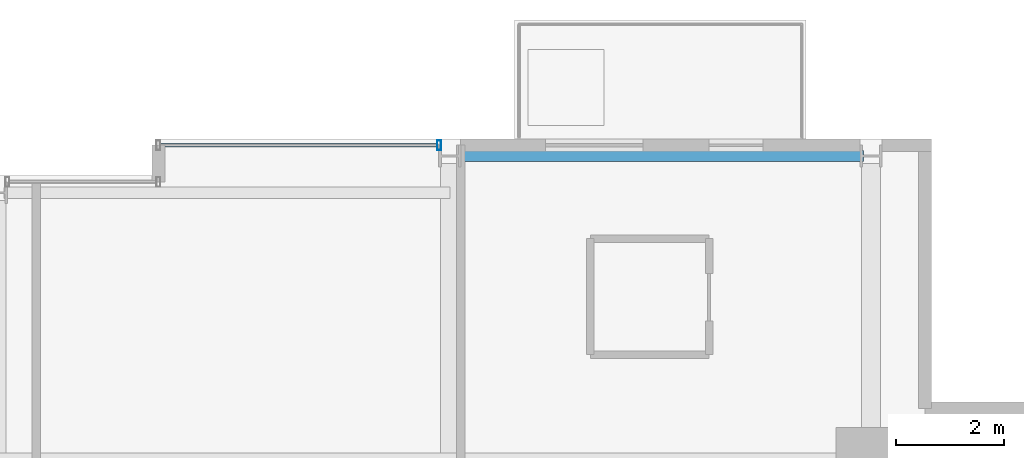
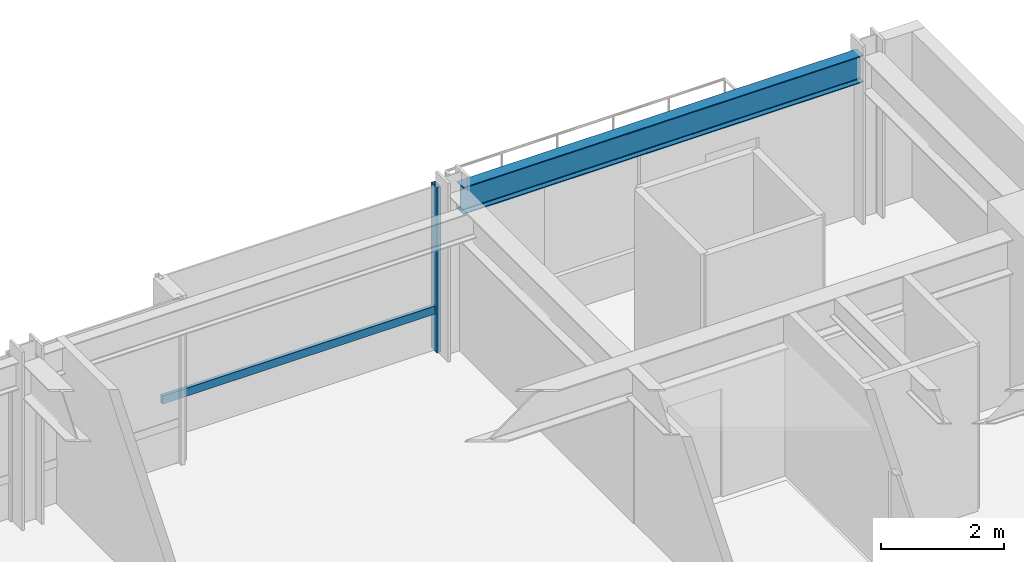
# One storey, part 25 of 33: 2 members, 1 beam, 1 element without a shape of its own.
"""IFC4 building model written with IfcOpenShell, lengths in metres."""

import ifcopenshell
import ifcopenshell.guid

model = None  # the IFC model being written
_history = None  # IfcOwnerHistory: only IFC2X3 demands one
_inside = {}  # id of a spatial element -> (the spatial element, [elements in it])
_under = {}  # id of a project, library or spatial element -> (it, [spatial elements below it])
_declared = {}  # id of a project -> (the project, [libraries it declares])
_typed = {}  # id of a type object -> (the type object, [elements of that type])
_made_of = {}  # id of a material, layer set ... -> (it, [elements and type objects made of it])


def new_model(schema):
    """Start an empty IFC model of exactly this schema.

    Asked for "IFC4X3", IfcOpenShell would pick the latest addendum, in which some entities
    have other attributes; the version numbers below select the first issue.
    IFC2X3 requires an IfcOwnerHistory on every rooted entity: one is made here for all.
    """
    global model, _history
    if schema == "IFC4X3":
        model = ifcopenshell.file(schema_version=(4, 3, 0, 0))
    else:
        model = ifcopenshell.file(schema=schema)
    _inside.clear()
    _under.clear()
    _declared.clear()
    _typed.clear()
    _made_of.clear()
    _history = None
    if model.schema == "IFC2X3":
        org = make("IfcOrganization", Name="unknown")
        user = make(
            "IfcPersonAndOrganization",
            ThePerson=make("IfcPerson", FamilyName="unknown"),
            TheOrganization=org,
        )
        app = make(
            "IfcApplication",
            ApplicationDeveloper=org,
            Version="unknown",
            ApplicationFullName="unknown",
            ApplicationIdentifier="unknown",
        )
        _history = make(
            "IfcOwnerHistory",
            OwningUser=user,
            OwningApplication=app,
            ChangeAction="ADDED",
            CreationDate=0,
        )
    return model


def make(cls, **values):
    """One entity of the class cls with the attributes given. An attribute that is None is left unset."""
    return model.create_entity(
        cls, **{name: value for name, value in values.items() if value is not None}
    )


def rooted(cls, **values):
    """An entity with a GlobalId (a new one), such as an element, a storey or a relation."""
    return make(cls, GlobalId=ifcopenshell.guid.new(), OwnerHistory=_history, **values)


def si_unit(unit_type, name, prefix=None):
    """IfcSIUnit, for example si_unit("LENGTHUNIT", "METRE", prefix="MILLI")."""
    return make("IfcSIUnit", UnitType=unit_type, Prefix=prefix, Name=name)


def assignment(units):
    """IfcUnitAssignment: the units of a project."""
    return None if units is None else make("IfcUnitAssignment", Units=units)


def point(xyz):
    """IfcCartesianPoint."""
    return None if xyz is None else make("IfcCartesianPoint", Coordinates=xyz)


def direction(xyz):
    """IfcDirection."""
    return None if xyz is None else make("IfcDirection", DirectionRatios=xyz)


def frame(location, z_axis=None, x_axis=None):
    """IfcAxis2Placement3D, a coordinate frame: its origin and axes. An axis left out is left unset."""
    return make(
        "IfcAxis2Placement3D",
        Location=point(location),
        Axis=direction(z_axis),
        RefDirection=direction(x_axis),
    )


def frame_2d(location, x_axis=None):
    """IfcAxis2Placement2D, a coordinate frame in the plane: its origin and x axis."""
    return make(
        "IfcAxis2Placement2D", Location=point(location), RefDirection=direction(x_axis)
    )


def origin():
    """The frame at (0, 0, 0) with its axes left unset."""
    return frame((0.0, 0.0, 0.0))


def origin_2d():
    """The frame at (0, 0) in the plane with its x axis left unset."""
    return frame_2d((0.0, 0.0))


def place(relative_to, where):
    """IfcLocalPlacement: puts the frame where relative to a parent placement (None: the world)."""
    return make(
        "IfcLocalPlacement", PlacementRelTo=relative_to, RelativePlacement=where
    )


def context(
    kind, dimensions, precision=None, world=None, true_north=None, identifier=None
):
    """IfcGeometricRepresentationContext, for example the 3D "Model" context."""
    return make(
        "IfcGeometricRepresentationContext",
        ContextIdentifier=identifier,
        ContextType=kind,
        CoordinateSpaceDimension=dimensions,
        Precision=precision,
        WorldCoordinateSystem=world,
        TrueNorth=true_north,
    )


def subcontext(parent, identifier, kind, view, scale=None):
    """IfcGeometricRepresentationSubContext, for example "Body" below "Model"."""
    return make(
        "IfcGeometricRepresentationSubContext",
        ContextIdentifier=identifier,
        ContextType=kind,
        ParentContext=parent,
        TargetScale=scale,
        TargetView=view,
    )


def project(units=None, contexts=None):
    """IfcProject with its units and contexts."""
    return rooted(
        "IfcProject",
        Name="project",
        RepresentationContexts=contexts,
        UnitsInContext=assignment(units),
    )


def spatial(cls, under=None, at=None, **own):
    """A site, building, storey or space (cls), placed at a placement, below another one or the project."""
    s = rooted(cls, ObjectPlacement=at, **own)
    if under is not None:
        _under.setdefault(under.id(), (under, []))[1].append(s)
    return s


def profile(cls, at=None, kind="AREA", **sizes):
    """A parametric profile (cls). Its sizes go by their IFC names, for example OverallWidth=200.0."""
    return make(cls, ProfileType=kind, Position=at, **sizes)


def hollow_rectangle(**sizes):
    """IfcRectangleHollowProfileDef."""
    return profile("IfcRectangleHollowProfileDef", **sizes)


def i_section(**sizes):
    """IfcIShapeProfileDef."""
    return profile("IfcIShapeProfileDef", **sizes)


def extrude(swept, where, along, depth):
    """IfcExtrudedAreaSolid: the profile swept, set in the frame where, extruded along a direction by depth."""
    return make(
        "IfcExtrudedAreaSolid",
        SweptArea=swept,
        Position=where,
        ExtrudedDirection=direction(along),
        Depth=depth,
    )


def shape(context_of_items, identifier, shape_type, items):
    """IfcShapeRepresentation: the items that make up one representation, for example the "Body"."""
    return make(
        "IfcShapeRepresentation",
        ContextOfItems=context_of_items,
        RepresentationIdentifier=identifier,
        RepresentationType=shape_type,
        Items=items,
    )


def material(Name=None, Category=None):
    """IfcMaterial."""
    return make("IfcMaterial", Name=Name, Category=Category)


def layer(
    of_material, thickness, ventilated=None, Name=None, Category=None, Priority=None
):
    """IfcMaterialLayer: one layer of a wall or slab, of a material (None: an air gap)."""
    return make(
        "IfcMaterialLayer",
        Material=of_material,
        LayerThickness=thickness,
        IsVentilated=ventilated,
        Name=Name,
        Category=Category,
        Priority=Priority,
    )


def layer_set(layers, Name=None):
    """IfcMaterialLayerSet."""
    return make("IfcMaterialLayerSet", MaterialLayers=layers, LayerSetName=Name)


def material_profile(
    of_material, cross_section, Name=None, Category=None, Priority=None
):
    """IfcMaterialProfile: a cross section and its material."""
    return make(
        "IfcMaterialProfile",
        Name=Name,
        Material=of_material,
        Profile=cross_section,
        Priority=Priority,
        Category=Category,
    )


def profile_set(profiles, Name=None, composite=None):
    """IfcMaterialProfileSet."""
    return make(
        "IfcMaterialProfileSet",
        Name=Name,
        MaterialProfiles=profiles,
        CompositeProfile=composite,
    )


def made_of(thing, what):
    """Note that an element or type object is made of a material, layer set ...; save() writes the relation."""
    if what is not None:
        _made_of.setdefault(what.id(), (what, []))[1].append(thing)
    return thing


def type_object(cls, material=None, **own):
    """A type object (cls), such as IfcWallType, which elements share."""
    return made_of(rooted(cls, **own), material)


def element(
    cls,
    number,
    at=None,
    inside=None,
    cuts=None,
    type_object=None,
    material=None,
    context=None,
    identifier="Body",
    shape_type=None,
    held_by="IfcProductDefinitionShape",
    body=None,
    shapes=None,
    **own,
):
    """One element of the class cls, such as IfcWall. Its Tag is "e" and its number.

    at: its placement. inside: the storey or other place that contains it. cuts: it is an
    opening in that element (IfcRelVoidsElement). A single representation is given by context,
    identifier, shape_type and body (its items); several are given by shapes. held_by: the class
    of the entity that holds the representations. save() writes the other relations.
    """
    e = rooted(cls, Tag="e%d" % number, ObjectPlacement=at, **own)
    if body is not None:
        shapes = [shape(context, identifier, shape_type, body)]
    if shapes is not None:
        e.Representation = make(held_by, Representations=shapes)
    if inside is not None:
        _inside.setdefault(inside.id(), (inside, []))[1].append(e)
    if cuts is not None:
        rooted(
            "IfcRelVoidsElement", RelatingBuildingElement=cuts, RelatedOpeningElement=e
        )
    if type_object is not None:
        _typed.setdefault(type_object.id(), (type_object, []))[1].append(e)
    return made_of(e, material)


def aggregate(whole, parts):
    """IfcRelAggregates: a whole, such as a stair, and the parts it consists of."""
    return rooted("IfcRelAggregates", RelatingObject=whole, RelatedObjects=parts)


def save(model, path):
    """Write the relations noted so far, then the file.

    IfcRelAggregates (storeys below a building ...), IfcRelContainedInSpatialStructure (elements
    in a storey), IfcRelDefinesByType, IfcRelAssociatesMaterial and IfcRelDeclares: one each for
    every whole, place, type object, material and project.
    """
    for whole, parts in _under.values():
        aggregate(whole, parts)
    for where, things in _inside.values():
        rooted(
            "IfcRelContainedInSpatialStructure",
            RelatedElements=things,
            RelatingStructure=where,
        )
    for kind, things in _typed.values():
        rooted("IfcRelDefinesByType", RelatedObjects=things, RelatingType=kind)
    for what, things in _made_of.values():
        rooted("IfcRelAssociatesMaterial", RelatedObjects=things, RelatingMaterial=what)
    for by, libraries in _declared.values():
        rooted("IfcRelDeclares", RelatingContext=by, RelatedDefinitions=libraries)
    model.write(path)


model = new_model("IFC4")

# Units and contexts
model_context = context("Model", 3, precision=1e-05, world=origin(), true_north=direction((0.0, 1.0)))
body_context = subcontext(model_context, "Body", "Model", "MODEL_VIEW")
ifc_project = project(units=[si_unit("LENGTHUNIT", "METRE"), si_unit("AREAUNIT", "SQUARE_METRE"), si_unit("VOLUMEUNIT", "CUBIC_METRE"), si_unit("PLANEANGLEUNIT", "RADIAN"), si_unit("MASSUNIT", "GRAM", prefix="KILO")], contexts=[model_context])

# Site, building, storey
site_placement = place(None, origin())
site = spatial("IfcSite", under=ifc_project, at=site_placement, CompositionType="ELEMENT")
building_placement = place(site_placement, origin())
building = spatial("IfcBuilding", under=site, at=building_placement, Name="Drelvath Grand Hotel", CompositionType="ELEMENT")
storey_placement = place(building_placement, frame((0.0, 0.0, 171.699951171875)))
storey = spatial("IfcBuildingStorey", under=building, at=storey_placement, Name="L44", CompositionType="ELEMENT", Elevation=171.699951171875)

# Curtain wall, members
ifc_material_1 = material(Name="Brushed Pale-Silver Anodised Aluminium Frame", Category="aluminium")
ifc_layer = layer(ifc_material_1, 0.199951171875)
ifc_layer_set = layer_set([ifc_layer], Name="Brushed Pale-Silver Anodised Aluminium Frame")
curtain_wall_type = type_object("IfcCurtainWallType", Name="Stick Curtain Wall CW-04 Brushed Silver Upper-Mid", PredefinedType="NOTDEFINED", material=ifc_layer_set)
curtain_wall_placement = place(storey_placement, origin())
curtain_wall = element("IfcCurtainWall", 1, at=curtain_wall_placement, inside=storey, type_object=curtain_wall_type, Name="L44 CW-04 Curtain Wall CW04-L44-NE1", PredefinedType="NOTDEFINED")
ifc_material_profile_1 = material_profile(ifc_material_1, hollow_rectangle(XDim=0.06494140625, YDim=0.159912109375, WallThickness=0.00390625, at=origin_2d()), Name="HSS160X65X4")
ifc_profile_set_1 = profile_set([ifc_material_profile_1], Name="Brushed Pale-Silver Anodised Aluminium Frame")
member_type_1 = type_object("IfcMemberType", Name="Curtain Wall Horizontal Transom CW-04 HSS160X65X4", PredefinedType="USERDEFINED", material=ifc_profile_set_1)
member_1_placement = place(storey_placement, frame((3.0400390625, 49.080078125, 0.822509765625), z_axis=(1.0, 0.0, 0.0), x_axis=(0.0, 1.0, 0.0)))
member_1 = element("IfcMember", 2, at=member_1_placement, type_object=member_type_1, Name="CW04-L44-NE1 Sill Transom", ObjectType="TRANSOM", PredefinedType="USERDEFINED", context=body_context, shape_type="SweptSolid", body=[
    extrude(hollow_rectangle(XDim=0.06494140625, YDim=0.159912109375, WallThickness=0.00390625, at=origin_2d()), origin(), (0.0, 0.0, 1.0), 5.119873046875),
])
ifc_material_profile_2 = material_profile(ifc_material_1, hollow_rectangle(XDim=0.074951171875, YDim=0.179931640625, WallThickness=0.0048828125, at=origin_2d()), Name="HSS180X75X5")
ifc_profile_set_2 = profile_set([ifc_material_profile_2], Name="Brushed Pale-Silver Anodised Aluminium Frame")
member_type_2 = type_object("IfcMemberType", Name="Curtain Wall Vertical Mullion CW-04 HSS180X75X5", PredefinedType="MULLION", material=ifc_profile_set_2)
member_2_placement = place(storey_placement, frame((8.199951171875, 49.080078125, 0.0), z_axis=(0.0, 0.0, 1.0), x_axis=(1.0, 0.0, 0.0)))
member_2 = element("IfcMember", 3, at=member_2_placement, type_object=member_type_2, Name="CW04-L44-NE1 Mullion 2", PredefinedType="MULLION", context=body_context, shape_type="SweptSolid", body=[
    extrude(hollow_rectangle(XDim=0.074951171875, YDim=0.179931640625, WallThickness=0.0048828125, at=origin_2d()), origin(), (0.0, 0.0, 1.0), 3.2900390625),
])
aggregate(curtain_wall, [member_2, member_1])

# Beam
ifc_material_2 = material(Name="Steel ASTM A992 Gr 50", Category="steel")
ifc_material_profile_3 = material_profile(ifc_material_2, i_section(OverallWidth=0.210205078125, OverallDepth=0.53662109375, WebThickness=0.010986328125, FlangeThickness=0.017333984375, FilletRadius=0.01806640625, at=origin_2d()), Name="W21X68")
ifc_profile_set_3 = profile_set([ifc_material_profile_3], Name="Steel ASTM A992 Gr 50")
beam_type = type_object("IfcBeamType", Name="Perimeter Spandrel Beam W21X68", PredefinedType="SPANDREL", material=ifc_profile_set_3)
beam_placement = place(storey_placement, frame((8.5400390625, 48.8798828125, 3.021728515625), z_axis=(1.0, 0.0, 0.0), x_axis=(0.0, 1.0, 0.0)))
element("IfcBeam", 4, at=beam_placement, inside=storey, type_object=beam_type, Name="L44 Spandrel North E", PredefinedType="SPANDREL", context=body_context, shape_type="SweptSolid", body=[
    extrude(i_section(OverallWidth=0.210205078125, OverallDepth=0.53662109375, WebThickness=0.010986328125, FlangeThickness=0.017333984375, FilletRadius=0.01806640625, at=origin_2d()), origin(), (0.0, 0.0, 1.0), 7.52001953125),
])

save(model, "model.ifc")
